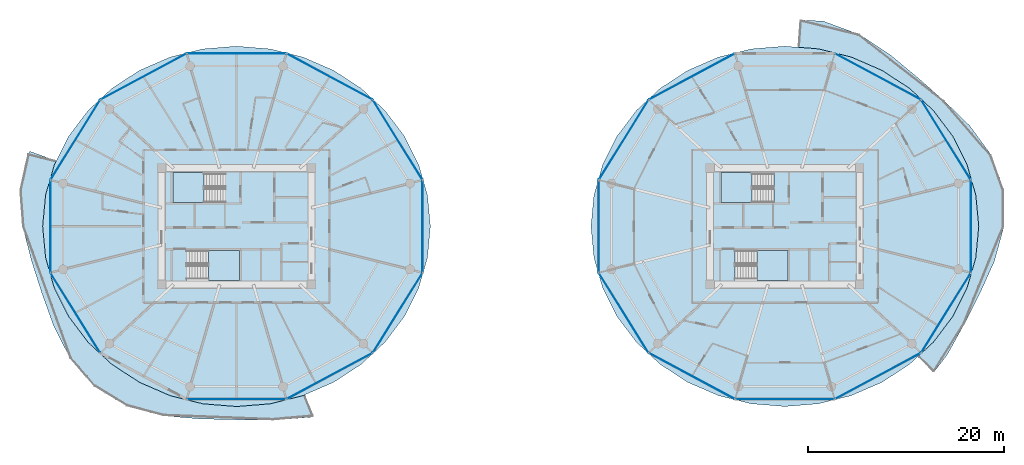
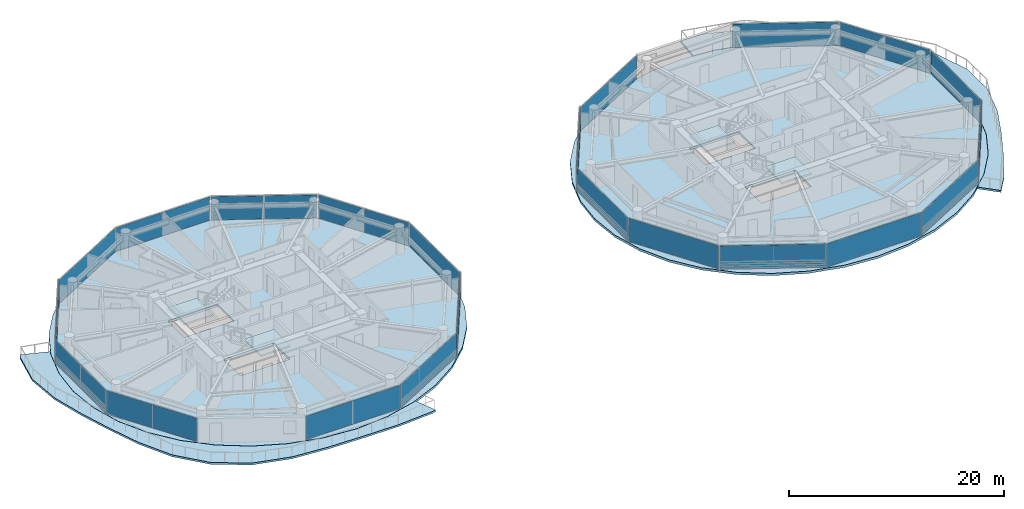
# One storey, part 15 of 28: 22 plates, 8 slabs, 26 elements without a shape of their own.
"""IFC4 building model written with IfcOpenShell, lengths in metres."""

from ifc_helpers import new_model, si_unit, direction, frame, origin, origin_2d, place, context, subcontext, project, spatial, polyline, rectangle, outline, extrude, source, transform, mapped, material, layer, layer_set, type_object, type_shapes, element, aggregate, save


model = new_model("IFC4")

# Units and contexts
model_context = context("Model", 3, precision=1e-05, world=origin(), true_north=direction((0.0, 1.0)))
body_context = subcontext(model_context, "Body", "Model", "MODEL_VIEW")
ifc_project = project(units=[si_unit("LENGTHUNIT", "METRE"), si_unit("AREAUNIT", "SQUARE_METRE"), si_unit("VOLUMEUNIT", "CUBIC_METRE"), si_unit("PLANEANGLEUNIT", "RADIAN"), si_unit("MASSUNIT", "GRAM", prefix="KILO")], contexts=[model_context])

# Site, building, storey
site_placement = place(None, origin())
site = spatial("IfcSite", under=ifc_project, at=site_placement, CompositionType="ELEMENT")
building_placement = place(site_placement, origin())
building = spatial("IfcBuilding", under=site, at=building_placement, Name="Norrkilde Senior Care Towers", CompositionType="ELEMENT")
storey_placement = place(building_placement, frame((0.0, 0.0, 39.89990234375)))
storey = spatial("IfcBuildingStorey", under=building, at=storey_placement, Name="L11", CompositionType="ELEMENT", Elevation=39.89990234375)

# Slabs
ifc_material_1 = material(Name="Concrete C50/60", Category="concrete")
ifc_layer_1 = layer(ifc_material_1, 0.215087890625)
ifc_layer_set_1 = layer_set([ifc_layer_1], Name="Concrete C50/60")
slab_type_1 = type_object("IfcSlabType", Name="Sinusoidal Balcony Ribbon Slab 215", PredefinedType="FLOOR", material=ifc_layer_set_1)
slab_1_placement = place(storey_placement, frame((0.0, 0.0, -0.21484375)))
element("IfcSlab", 1, at=slab_1_placement, inside=storey, type_object=slab_type_1, Name="L11 Drum W Swirling Senior Balcony 1", PredefinedType="FLOOR", context=body_context, shape_type="SweptSolid", body=[
    extrude(outline(polyline([(-24.288330078125, -19.789794921875), (-28.0, -19.754150390625), (-31.691650390625, -19.667236328125), (-35.47021484375, -19.3544921875), (-39.201171875, -18.35986328125), (-42.496337890625, -16.364013671875), (-44.9970703125, -13.47900390625), (-46.6845703125, -10.155029296875), (-47.890869140625, -6.79638671875), (-48.955810546875, -3.471435546875), (-49.843994140625, 0.0), (-50.115966796875, 3.691650390625), (-49.304443359375, 7.35009765625), (-49.112060546875, 7.664306640625), (-46.414794921875, 6.685302734375), (-46.610595703125, 6.294921875), (-47.504150390625, 3.196044921875), (-47.804931640625, 0.0), (-47.504150390625, -3.196044921875), (-46.610595703125, -6.294921875), (-45.151611328125, -9.202392578125), (-43.171630859375, -11.83056640625), (-40.73046875, -14.09912109375), (-37.902587890625, -15.939208984375), (-34.773681640625, -17.294921875), (-31.439208984375, -18.12548828125), (-28.0, -18.405029296875), (-24.560791015625, -18.12548828125), (-21.226318359375, -17.294921875), (-21.016845703125, -17.204345703125), (-20.12451171875, -19.4033203125), (-20.478759765625, -19.505615234375), (-24.288330078125, -19.789794921875)])), origin(), (0.0, 0.0, 1.0), 0.21484375),
])
slab_2_placement = place(storey_placement, frame((0.0, 0.0, -0.21484375)))
element("IfcSlab", 2, at=slab_2_placement, inside=storey, type_object=slab_type_1, Name="L11 Drum E Swirling Senior Balcony 1", PredefinedType="FLOOR", context=body_context, shape_type="SweptSolid", body=[
    extrude(outline(polyline([(46.350830078125, -9.94775390625), (44.58642578125, -13.108154296875), (43.21923828125, -14.90478515625), (41.585205078125, -13.3046875), (43.171630859375, -11.83056640625), (45.151611328125, -9.202392578125), (46.610595703125, -6.294921875), (47.504150390625, -3.196044921875), (47.804931640625, 0.0), (47.504150390625, 3.196044921875), (46.610595703125, 6.294921875), (45.151611328125, 9.202392578125), (43.171630859375, 11.83056640625), (40.73046875, 14.09912109375), (37.902587890625, 15.939208984375), (34.773681640625, 17.294921875), (31.439208984375, 18.12548828125), (29.352783203125, 18.294921875), (29.558349609375, 21.0751953125), (31.903564453125, 20.95947265625), (35.561767578125, 19.625244140625), (38.755615234375, 17.529541015625), (41.57568359375, 15.18359375), (44.26806640625, 12.82080078125), (46.883544921875, 10.278564453125), (49.0859375, 7.264404296875), (50.346435546875, 3.7353515625), (50.380615234375, 0.0), (49.40283203125, -3.556396484375), (47.93603515625, -6.814208984375), (46.350830078125, -9.94775390625)])), origin(), (0.0, 0.0, 1.0), 0.21484375),
])

# Stair, slab
ifc_material_2 = material(Name="Concrete C45/55", Category="concrete")
stair_type = type_object("IfcStairType", Name="Core Protected Dogleg Stair Typical 3050", PredefinedType="HALF_TURN_STAIR", material=ifc_material_2)
stair_1_placement = place(storey_placement, origin())
stair_1 = element("IfcStair", 3, at=stair_1_placement, inside=storey, type_object=stair_type, Name="L11 Protected Core Stair W1", PredefinedType="HALF_TURN_STAIR")
ifc_layer_2 = layer(ifc_material_2, 0.199951171875)
ifc_layer_set_2 = layer_set([ifc_layer_2], Name="Concrete C45/55")
slab_type_2 = type_object("IfcSlabType", Name="Stair Landing Slab 200", PredefinedType="LANDING", material=ifc_layer_set_2)
slab_3_placement = place(storey_placement, frame((0.0, 0.0, 1.3251953125)))
slab_3 = element("IfcSlab", 4, at=slab_3_placement, type_object=slab_type_2, Name="ST-W1 landing 1", PredefinedType="LANDING", context=body_context, shape_type="SweptSolid", body=[
    extrude(outline(polyline([(-31.340087890625, 5.52490234375), (-34.5, 5.52490234375), (-34.5, 2.449951171875), (-31.340087890625, 2.449951171875), (-31.340087890625, 5.52490234375)])), origin(), (0.0, 0.0, 1.0), 0.199951171875),
])
aggregate(stair_1, [slab_3])

stair_2_placement = place(storey_placement, origin())
stair_2 = element("IfcStair", 5, at=stair_2_placement, inside=storey, type_object=stair_type, Name="L11 Protected Core Stair W2", PredefinedType="HALF_TURN_STAIR")
slab_4_placement = place(storey_placement, frame((0.0, 0.0, 1.3251953125)))
slab_4 = element("IfcSlab", 6, at=slab_4_placement, type_object=slab_type_2, Name="ST-W2 landing 1", PredefinedType="LANDING", context=body_context, shape_type="SweptSolid", body=[
    extrude(outline(polyline([(-30.860107421875, -5.52490234375), (-27.699951171875, -5.52490234375), (-27.699951171875, -2.449951171875), (-30.860107421875, -2.449951171875), (-30.860107421875, -5.52490234375)])), origin(), (0.0, 0.0, 1.0), 0.199951171875),
])
aggregate(stair_2, [slab_4])

stair_3_placement = place(storey_placement, origin())
stair_3 = element("IfcStair", 7, at=stair_3_placement, inside=storey, type_object=stair_type, Name="L11 Protected Core Stair E1", PredefinedType="HALF_TURN_STAIR")
slab_5_placement = place(storey_placement, frame((0.0, 0.0, 1.3251953125)))
slab_5 = element("IfcSlab", 8, at=slab_5_placement, type_object=slab_type_2, Name="ST-E1 landing 1", PredefinedType="LANDING", context=body_context, shape_type="SweptSolid", body=[
    extrude(outline(polyline([(24.659912109375, 5.52490234375), (21.5, 5.52490234375), (21.5, 2.449951171875), (24.659912109375, 2.449951171875), (24.659912109375, 5.52490234375)])), origin(), (0.0, 0.0, 1.0), 0.199951171875),
])
aggregate(stair_3, [slab_5])

stair_4_placement = place(storey_placement, origin())
stair_4 = element("IfcStair", 9, at=stair_4_placement, inside=storey, type_object=stair_type, Name="L11 Protected Core Stair E2", PredefinedType="HALF_TURN_STAIR")
slab_6_placement = place(storey_placement, frame((0.0, 0.0, 1.3251953125)))
slab_6 = element("IfcSlab", 10, at=slab_6_placement, type_object=slab_type_2, Name="ST-E2 landing 1", PredefinedType="LANDING", context=body_context, shape_type="SweptSolid", body=[
    extrude(outline(polyline([(25.139892578125, -5.52490234375), (28.300048828125, -5.52490234375), (28.300048828125, -2.449951171875), (25.139892578125, -2.449951171875), (25.139892578125, -5.52490234375)])), origin(), (0.0, 0.0, 1.0), 0.199951171875),
])
aggregate(stair_4, [slab_6])

# Slabs
ifc_layer_3 = layer(ifc_material_1, 0.260009765625)
ifc_layer_set_3 = layer_set([ifc_layer_3], Name="Concrete C50/60")
slab_type_3 = type_object("IfcSlabType", Name="Tower Care Floor Slab 260", PredefinedType="FLOOR", material=ifc_layer_set_3)
slab_7_placement = place(storey_placement, frame((0.0, 0.0, -0.260009765625)))
element("IfcSlab", 11, at=slab_7_placement, inside=storey, type_object=slab_type_3, Name="L11 Drum W Structural Floor Slab", PredefinedType="FLOOR", context=body_context, shape_type="SweptSolid", body=[
    extrude(outline(polyline([(-9.39404296875, -6.293212890625), (-10.852783203125, -9.199951171875), (-12.832275390625, -11.827392578125), (-15.272705078125, -14.09521484375), (-18.10009765625, -15.934814453125), (-21.22802734375, -17.290283203125), (-24.561767578125, -18.120361328125), (-28.0, -18.39990234375), (-31.438232421875, -18.120361328125), (-34.77197265625, -17.290283203125), (-37.89990234375, -15.934814453125), (-40.727294921875, -14.09521484375), (-43.167724609375, -11.827392578125), (-45.147216796875, -9.199951171875), (-46.60595703125, -6.293212890625), (-47.499267578125, -3.195068359375), (-47.800048828125, 0.0), (-47.499267578125, 3.195068359375), (-46.60595703125, 6.293212890625), (-45.147216796875, 9.199951171875), (-43.167724609375, 11.827392578125), (-40.727294921875, 14.09521484375), (-37.89990234375, 15.934814453125), (-34.77197265625, 17.290283203125), (-31.438232421875, 18.120361328125), (-28.0, 18.39990234375), (-24.561767578125, 18.120361328125), (-21.22802734375, 17.290283203125), (-18.10009765625, 15.934814453125), (-15.272705078125, 14.09521484375), (-12.832275390625, 11.827392578125), (-10.852783203125, 9.199951171875), (-9.39404296875, 6.293212890625), (-8.500732421875, 3.195068359375), (-8.199951171875, 0.0), (-8.500732421875, -3.195068359375), (-9.39404296875, -6.293212890625)]), holes=[polyline([(-34.48193359375, 2.468017578125), (-29.117919921875, 2.468017578125), (-29.117919921875, 5.52490234375), (-34.48193359375, 5.52490234375), (-34.48193359375, 2.468017578125)]), polyline([(-27.718017578125, -5.52490234375), (-27.718017578125, -2.468017578125), (-33.08203125, -2.468017578125), (-33.08203125, -5.52490234375), (-27.718017578125, -5.52490234375)])]), origin(), (0.0, 0.0, 1.0), 0.260009765625),
])
slab_8_placement = place(storey_placement, frame((0.0, 0.0, -0.260009765625)))
element("IfcSlab", 12, at=slab_8_placement, inside=storey, type_object=slab_type_3, Name="L11 Drum E Structural Floor Slab", PredefinedType="FLOOR", context=body_context, shape_type="SweptSolid", body=[
    extrude(outline(polyline([(46.60595703125, -6.293212890625), (45.147216796875, -9.199951171875), (43.167724609375, -11.827392578125), (40.727294921875, -14.09521484375), (37.89990234375, -15.934814453125), (34.77197265625, -17.290283203125), (31.438232421875, -18.120361328125), (28.0, -18.39990234375), (24.561767578125, -18.120361328125), (21.22802734375, -17.290283203125), (18.10009765625, -15.934814453125), (15.272705078125, -14.09521484375), (12.832275390625, -11.827392578125), (10.852783203125, -9.199951171875), (9.39404296875, -6.293212890625), (8.500732421875, -3.195068359375), (8.199951171875, 0.0), (8.500732421875, 3.195068359375), (9.39404296875, 6.293212890625), (10.852783203125, 9.199951171875), (12.832275390625, 11.827392578125), (15.272705078125, 14.09521484375), (18.10009765625, 15.934814453125), (21.22802734375, 17.290283203125), (24.561767578125, 18.120361328125), (28.0, 18.39990234375), (31.438232421875, 18.120361328125), (34.77197265625, 17.290283203125), (37.89990234375, 15.934814453125), (40.727294921875, 14.09521484375), (43.167724609375, 11.827392578125), (45.147216796875, 9.199951171875), (46.60595703125, 6.293212890625), (47.499267578125, 3.195068359375), (47.800048828125, 0.0), (47.499267578125, -3.195068359375), (46.60595703125, -6.293212890625)]), holes=[polyline([(21.51806640625, 2.468017578125), (26.882080078125, 2.468017578125), (26.882080078125, 5.52490234375), (21.51806640625, 5.52490234375), (21.51806640625, 2.468017578125)]), polyline([(28.281982421875, -5.52490234375), (28.281982421875, -2.468017578125), (22.91796875, -2.468017578125), (22.91796875, -5.52490234375), (28.281982421875, -5.52490234375)])]), origin(), (0.0, 0.0, 1.0), 0.260009765625),
])

# Curtain wall, plate
ifc_material_3 = material(Name="Triple Low-E Insulated Glazing", Category="glass")
ifc_layer_4 = layer(ifc_material_3, 0.199951171875)
ifc_layer_set_4 = layer_set([ifc_layer_4], Name="Triple Low-E Insulated Glazing")
curtain_wall_type = type_object("IfcCurtainWallType", Name="CW2 Zone 1 Memory Care Curtain Wall", PredefinedType="NOTDEFINED", material=ifc_layer_set_4)
curtain_wall_1_placement = place(storey_placement, origin())
curtain_wall_1 = element("IfcCurtainWall", 13, at=curtain_wall_1_placement, inside=storey, type_object=curtain_wall_type, Name="L11 Drum W Curtain Wall 00", PredefinedType="NOTDEFINED")
ifc_layer_5 = layer(ifc_material_3, 0.035888671875)
ifc_layer_set_5 = layer_set([ifc_layer_5], Name="Triple Low-E Insulated Glazing")
plate_type = type_object("IfcPlateType", Name="Triple Low-E Vision Curtain Panel 36", PredefinedType="CURTAIN_PANEL", material=ifc_layer_set_5)
shared_shape_1 = source(origin(), body_context, "Body", "SweptSolid", [
    extrude(rectangle(XDim=9.518798828125, YDim=0.035888671875, at=origin_2d()), origin(), (0.0, 0.0, 1.0), 2.669921875),
])
plate_1_placement = place(storey_placement, frame((-11.537353515625, 8.82861328125, 0.06005859375), z_axis=(0.0, 0.0, 1.0), x_axis=(0.527900951871, -0.849305943117, 0.0)))
plate_1 = element("IfcPlate", 14, at=plate_1_placement, type_object=plate_type, Name="CW-2 panel 1.1", PredefinedType="CURTAIN_PANEL", context=body_context, shape_type="MappedRepresentation", body=[
    mapped(shared_shape_1, transform((0.0, 0.0, 0.0), x_axis=(1.0, 0.0, 0.0), y_axis=(0.0, 1.0, 0.0), z_axis=(0.0, 0.0, 1.0), scale=1.0)),
])
aggregate(curtain_wall_1, [plate_1])

curtain_wall_2_placement = place(storey_placement, origin())
curtain_wall_2 = element("IfcCurtainWall", 15, at=curtain_wall_2_placement, inside=storey, type_object=curtain_wall_type, Name="L11 Drum W Curtain Wall 04", PredefinedType="NOTDEFINED")
plate_2_placement = place(storey_placement, frame((-44.462646484375, 8.82861328125, 0.06005859375), z_axis=(0.0, 0.0, 1.0), x_axis=(0.527900951871, 0.849305943117, 0.0)))
plate_2 = element("IfcPlate", 16, at=plate_2_placement, type_object=plate_type, Name="CW-2 panel 1.1", PredefinedType="CURTAIN_PANEL", context=body_context, shape_type="MappedRepresentation", body=[
    mapped(shared_shape_1, transform((0.0, 0.0, 0.0), x_axis=(1.0, 0.0, 0.0), y_axis=(0.0, 1.0, 0.0), z_axis=(0.0, 0.0, 1.0), scale=1.0)),
])
aggregate(curtain_wall_2, [plate_2])

curtain_wall_3_placement = place(storey_placement, origin())
curtain_wall_3 = element("IfcCurtainWall", 17, at=curtain_wall_3_placement, inside=storey, type_object=curtain_wall_type, Name="L11 Drum W Curtain Wall 06", PredefinedType="NOTDEFINED")
plate_3_placement = place(storey_placement, frame((-44.462646484375, -8.82861328125, 0.06005859375), z_axis=(0.0, 0.0, 1.0), x_axis=(-0.527900951871, 0.849305943117, 0.0)))
plate_3 = element("IfcPlate", 18, at=plate_3_placement, type_object=plate_type, Name="CW-2 panel 1.1", PredefinedType="CURTAIN_PANEL", context=body_context, shape_type="MappedRepresentation", body=[
    mapped(shared_shape_1, transform((0.0, 0.0, 0.0), x_axis=(1.0, 0.0, 0.0), y_axis=(0.0, 1.0, 0.0), z_axis=(0.0, 0.0, 1.0), scale=1.0)),
])
aggregate(curtain_wall_3, [plate_3])

curtain_wall_4_placement = place(storey_placement, origin())
curtain_wall_4 = element("IfcCurtainWall", 19, at=curtain_wall_4_placement, inside=storey, type_object=curtain_wall_type, Name="L11 Drum W Curtain Wall 10", PredefinedType="NOTDEFINED")
plate_4_placement = place(storey_placement, frame((-11.537353515625, -8.82861328125, 0.06005859375), z_axis=(0.0, 0.0, 1.0), x_axis=(-0.527900951871, -0.849305943117, 0.0)))
plate_4 = element("IfcPlate", 20, at=plate_4_placement, type_object=plate_type, Name="CW-2 panel 1.1", PredefinedType="CURTAIN_PANEL", context=body_context, shape_type="MappedRepresentation", body=[
    mapped(shared_shape_1, transform((0.0, 0.0, 0.0), x_axis=(1.0, 0.0, 0.0), y_axis=(0.0, 1.0, 0.0), z_axis=(0.0, 0.0, 1.0), scale=1.0)),
])
aggregate(curtain_wall_4, [plate_4])

curtain_wall_5_placement = place(storey_placement, origin())
curtain_wall_5 = element("IfcCurtainWall", 21, at=curtain_wall_5_placement, inside=storey, type_object=curtain_wall_type, Name="L11 Drum E Curtain Wall 00", PredefinedType="NOTDEFINED")
plate_5_placement = place(storey_placement, frame((44.462646484375, 8.82861328125, 0.06005859375), z_axis=(0.0, 0.0, 1.0), x_axis=(0.527900951871, -0.849305943117, 0.0)))
plate_5 = element("IfcPlate", 22, at=plate_5_placement, type_object=plate_type, Name="CW-2 panel 1.1", PredefinedType="CURTAIN_PANEL", context=body_context, shape_type="MappedRepresentation", body=[
    mapped(shared_shape_1, transform((0.0, 0.0, 0.0), x_axis=(1.0, 0.0, 0.0), y_axis=(0.0, 1.0, 0.0), z_axis=(0.0, 0.0, 1.0), scale=1.0)),
])
aggregate(curtain_wall_5, [plate_5])

curtain_wall_6_placement = place(storey_placement, origin())
curtain_wall_6 = element("IfcCurtainWall", 23, at=curtain_wall_6_placement, inside=storey, type_object=curtain_wall_type, Name="L11 Drum E Curtain Wall 04", PredefinedType="NOTDEFINED")
plate_6_placement = place(storey_placement, frame((11.537353515625, 8.82861328125, 0.06005859375), z_axis=(0.0, 0.0, 1.0), x_axis=(0.527900951871, 0.849305943117, 0.0)))
plate_6 = element("IfcPlate", 24, at=plate_6_placement, type_object=plate_type, Name="CW-2 panel 1.1", PredefinedType="CURTAIN_PANEL", context=body_context, shape_type="MappedRepresentation", body=[
    mapped(shared_shape_1, transform((0.0, 0.0, 0.0), x_axis=(1.0, 0.0, 0.0), y_axis=(0.0, 1.0, 0.0), z_axis=(0.0, 0.0, 1.0), scale=1.0)),
])
aggregate(curtain_wall_6, [plate_6])

curtain_wall_7_placement = place(storey_placement, origin())
curtain_wall_7 = element("IfcCurtainWall", 25, at=curtain_wall_7_placement, inside=storey, type_object=curtain_wall_type, Name="L11 Drum E Curtain Wall 06", PredefinedType="NOTDEFINED")
plate_7_placement = place(storey_placement, frame((11.537353515625, -8.82861328125, 0.06005859375), z_axis=(0.0, 0.0, 1.0), x_axis=(-0.527900951871, 0.849305943117, 0.0)))
plate_7 = element("IfcPlate", 26, at=plate_7_placement, type_object=plate_type, Name="CW-2 panel 1.1", PredefinedType="CURTAIN_PANEL", context=body_context, shape_type="MappedRepresentation", body=[
    mapped(shared_shape_1, transform((0.0, 0.0, 0.0), x_axis=(1.0, 0.0, 0.0), y_axis=(0.0, 1.0, 0.0), z_axis=(0.0, 0.0, 1.0), scale=1.0)),
])
aggregate(curtain_wall_7, [plate_7])

curtain_wall_8_placement = place(storey_placement, origin())
curtain_wall_8 = element("IfcCurtainWall", 27, at=curtain_wall_8_placement, inside=storey, type_object=curtain_wall_type, Name="L11 Drum E Curtain Wall 10", PredefinedType="NOTDEFINED")
plate_8_placement = place(storey_placement, frame((44.462646484375, -8.82861328125, 0.06005859375), z_axis=(0.0, 0.0, 1.0), x_axis=(-0.527900951871, -0.849305943117, 0.0)))
plate_8 = element("IfcPlate", 28, at=plate_8_placement, type_object=plate_type, Name="CW-2 panel 1.1", PredefinedType="CURTAIN_PANEL", context=body_context, shape_type="MappedRepresentation", body=[
    mapped(shared_shape_1, transform((0.0, 0.0, 0.0), x_axis=(1.0, 0.0, 0.0), y_axis=(0.0, 1.0, 0.0), z_axis=(0.0, 0.0, 1.0), scale=1.0)),
])
aggregate(curtain_wall_8, [plate_8])

curtain_wall_9_placement = place(storey_placement, origin())
curtain_wall_9 = element("IfcCurtainWall", 29, at=curtain_wall_9_placement, inside=storey, type_object=curtain_wall_type, Name="L11 Drum W Curtain Wall 01", PredefinedType="NOTDEFINED")
shared_shape_2 = source(origin(), body_context, "Body", "SweptSolid", [
    extrude(rectangle(XDim=9.880859375, YDim=0.035888671875, at=origin_2d()), origin(), (0.0, 0.0, 1.0), 2.669921875),
])
plate_9_placement = place(storey_placement, frame((-18.495361328125, 15.29150390625, 0.06005859375), z_axis=(0.0, 0.0, 1.0), x_axis=(0.881272866403, -0.472607802456, 0.0)))
plate_9 = element("IfcPlate", 30, at=plate_9_placement, type_object=plate_type, Name="CW-2 panel 1.1", PredefinedType="CURTAIN_PANEL", context=body_context, shape_type="MappedRepresentation", body=[
    mapped(shared_shape_2, transform((0.0, 0.0, 0.0), x_axis=(1.0, 0.0, 0.0), y_axis=(0.0, 1.0, 0.0), z_axis=(0.0, 0.0, 1.0), scale=1.0)),
])
aggregate(curtain_wall_9, [plate_9])

curtain_wall_10_placement = place(storey_placement, origin())
curtain_wall_10 = element("IfcCurtainWall", 31, at=curtain_wall_10_placement, inside=storey, type_object=curtain_wall_type, Name="L11 Drum W Curtain Wall 03", PredefinedType="NOTDEFINED")
plate_10_placement = place(storey_placement, frame((-37.504638671875, 15.29150390625, 0.06005859375), z_axis=(0.0, 0.0, 1.0), x_axis=(0.881272866403, 0.472607802456, 0.0)))
plate_10 = element("IfcPlate", 32, at=plate_10_placement, type_object=plate_type, Name="CW-2 panel 1.1", PredefinedType="CURTAIN_PANEL", context=body_context, shape_type="MappedRepresentation", body=[
    mapped(shared_shape_2, transform((0.0, 0.0, 0.0), x_axis=(1.0, 0.0, 0.0), y_axis=(0.0, 1.0, 0.0), z_axis=(0.0, 0.0, 1.0), scale=1.0)),
])
aggregate(curtain_wall_10, [plate_10])

curtain_wall_11_placement = place(storey_placement, origin())
curtain_wall_11 = element("IfcCurtainWall", 33, at=curtain_wall_11_placement, inside=storey, type_object=curtain_wall_type, Name="L11 Drum W Curtain Wall 09", PredefinedType="NOTDEFINED")
plate_11_placement = place(storey_placement, frame((-18.495361328125, -15.29150390625, 0.06005859375), z_axis=(0.0, 0.0, 1.0), x_axis=(-0.881272866403, -0.472607802456, 0.0)))
plate_11 = element("IfcPlate", 34, at=plate_11_placement, type_object=plate_type, Name="CW-2 panel 1.1", PredefinedType="CURTAIN_PANEL", context=body_context, shape_type="MappedRepresentation", body=[
    mapped(shared_shape_2, transform((0.0, 0.0, 0.0), x_axis=(1.0, 0.0, 0.0), y_axis=(0.0, 1.0, 0.0), z_axis=(0.0, 0.0, 1.0), scale=1.0)),
])
aggregate(curtain_wall_11, [plate_11])

curtain_wall_12_placement = place(storey_placement, origin())
curtain_wall_12 = element("IfcCurtainWall", 35, at=curtain_wall_12_placement, inside=storey, type_object=curtain_wall_type, Name="L11 Drum E Curtain Wall 01", PredefinedType="NOTDEFINED")
plate_12_placement = place(storey_placement, frame((37.504638671875, 15.29150390625, 0.06005859375), z_axis=(0.0, 0.0, 1.0), x_axis=(0.881272866403, -0.472607802456, 0.0)))
plate_12 = element("IfcPlate", 36, at=plate_12_placement, type_object=plate_type, Name="CW-2 panel 1.1", PredefinedType="CURTAIN_PANEL", context=body_context, shape_type="MappedRepresentation", body=[
    mapped(shared_shape_2, transform((0.0, 0.0, 0.0), x_axis=(1.0, 0.0, 0.0), y_axis=(0.0, 1.0, 0.0), z_axis=(0.0, 0.0, 1.0), scale=1.0)),
])
aggregate(curtain_wall_12, [plate_12])

curtain_wall_13_placement = place(storey_placement, origin())
curtain_wall_13 = element("IfcCurtainWall", 37, at=curtain_wall_13_placement, inside=storey, type_object=curtain_wall_type, Name="L11 Drum E Curtain Wall 03", PredefinedType="NOTDEFINED")
plate_13_placement = place(storey_placement, frame((18.495361328125, 15.29150390625, 0.06005859375), z_axis=(0.0, 0.0, 1.0), x_axis=(0.881272866403, 0.472607802456, 0.0)))
plate_13 = element("IfcPlate", 38, at=plate_13_placement, type_object=plate_type, Name="CW-2 panel 1.1", PredefinedType="CURTAIN_PANEL", context=body_context, shape_type="MappedRepresentation", body=[
    mapped(shared_shape_2, transform((0.0, 0.0, 0.0), x_axis=(1.0, 0.0, 0.0), y_axis=(0.0, 1.0, 0.0), z_axis=(0.0, 0.0, 1.0), scale=1.0)),
])
aggregate(curtain_wall_13, [plate_13])

curtain_wall_14_placement = place(storey_placement, origin())
curtain_wall_14 = element("IfcCurtainWall", 39, at=curtain_wall_14_placement, inside=storey, type_object=curtain_wall_type, Name="L11 Drum E Curtain Wall 07", PredefinedType="NOTDEFINED")
plate_14_placement = place(storey_placement, frame((18.495361328125, -15.29150390625, 0.06005859375), z_axis=(0.0, 0.0, 1.0), x_axis=(-0.881272866403, 0.472607802456, 0.0)))
plate_14 = element("IfcPlate", 40, at=plate_14_placement, type_object=plate_type, Name="CW-2 panel 1.1", PredefinedType="CURTAIN_PANEL", context=body_context, shape_type="MappedRepresentation", body=[
    mapped(shared_shape_2, transform((0.0, 0.0, 0.0), x_axis=(1.0, 0.0, 0.0), y_axis=(0.0, 1.0, 0.0), z_axis=(0.0, 0.0, 1.0), scale=1.0)),
])
aggregate(curtain_wall_14, [plate_14])

curtain_wall_15_placement = place(storey_placement, origin())
curtain_wall_15 = element("IfcCurtainWall", 41, at=curtain_wall_15_placement, inside=storey, type_object=curtain_wall_type, Name="L11 Drum E Curtain Wall 09", PredefinedType="NOTDEFINED")
plate_15_placement = place(storey_placement, frame((37.504638671875, -15.29150390625, 0.06005859375), z_axis=(0.0, 0.0, 1.0), x_axis=(-0.881272866403, -0.472607802456, 0.0)))
plate_15 = element("IfcPlate", 42, at=plate_15_placement, type_object=plate_type, Name="CW-2 panel 1.1", PredefinedType="CURTAIN_PANEL", context=body_context, shape_type="MappedRepresentation", body=[
    mapped(shared_shape_2, transform((0.0, 0.0, 0.0), x_axis=(1.0, 0.0, 0.0), y_axis=(0.0, 1.0, 0.0), z_axis=(0.0, 0.0, 1.0), scale=1.0)),
])
aggregate(curtain_wall_15, [plate_15])

curtain_wall_16_placement = place(storey_placement, origin())
curtain_wall_16 = element("IfcCurtainWall", 43, at=curtain_wall_16_placement, inside=storey, type_object=curtain_wall_type, Name="L11 Drum W Curtain Wall 05", PredefinedType="NOTDEFINED")
shared_shape_3 = source(origin(), body_context, "Body", "SweptSolid", [
    extrude(rectangle(XDim=9.33251953125, YDim=0.035888671875, at=origin_2d()), origin(), (0.0, 0.0, 1.0), 2.669921875),
])
plate_16_placement = place(storey_placement, frame((-47.009521484375, 0.0, 0.06005859375), z_axis=(0.0, 0.0, 1.0), x_axis=(0.0, 1.0, 0.0)))
plate_16 = element("IfcPlate", 44, at=plate_16_placement, type_object=plate_type, Name="CW-2 panel 1.1", PredefinedType="CURTAIN_PANEL", context=body_context, shape_type="MappedRepresentation", body=[
    mapped(shared_shape_3, transform((0.0, 0.0, 0.0), x_axis=(1.0, 0.0, 0.0), y_axis=(0.0, 1.0, 0.0), z_axis=(0.0, 0.0, 1.0), scale=1.0)),
])
aggregate(curtain_wall_16, [plate_16])

curtain_wall_17_placement = place(storey_placement, origin())
curtain_wall_17 = element("IfcCurtainWall", 45, at=curtain_wall_17_placement, inside=storey, type_object=curtain_wall_type, Name="L11 Drum W Curtain Wall 11", PredefinedType="NOTDEFINED")
plate_17_placement = place(storey_placement, frame((-8.990478515625, 0.0, 0.06005859375), z_axis=(0.0, 0.0, 1.0), x_axis=(0.0, -1.0, 0.0)))
plate_17 = element("IfcPlate", 46, at=plate_17_placement, type_object=plate_type, Name="CW-2 panel 1.1", PredefinedType="CURTAIN_PANEL", context=body_context, shape_type="MappedRepresentation", body=[
    mapped(shared_shape_3, transform((0.0, 0.0, 0.0), x_axis=(1.0, 0.0, 0.0), y_axis=(0.0, 1.0, 0.0), z_axis=(0.0, 0.0, 1.0), scale=1.0)),
])
aggregate(curtain_wall_17, [plate_17])

curtain_wall_18_placement = place(storey_placement, origin())
curtain_wall_18 = element("IfcCurtainWall", 47, at=curtain_wall_18_placement, inside=storey, type_object=curtain_wall_type, Name="L11 Drum E Curtain Wall 05", PredefinedType="NOTDEFINED")
plate_18_placement = place(storey_placement, frame((8.990478515625, 0.0, 0.06005859375), z_axis=(0.0, 0.0, 1.0), x_axis=(0.0, 1.0, 0.0)))
plate_18 = element("IfcPlate", 48, at=plate_18_placement, type_object=plate_type, Name="CW-2 panel 1.1", PredefinedType="CURTAIN_PANEL", context=body_context, shape_type="MappedRepresentation", body=[
    mapped(shared_shape_3, transform((0.0, 0.0, 0.0), x_axis=(1.0, 0.0, 0.0), y_axis=(0.0, 1.0, 0.0), z_axis=(0.0, 0.0, 1.0), scale=1.0)),
])
aggregate(curtain_wall_18, [plate_18])

curtain_wall_19_placement = place(storey_placement, origin())
curtain_wall_19 = element("IfcCurtainWall", 49, at=curtain_wall_19_placement, inside=storey, type_object=curtain_wall_type, Name="L11 Drum E Curtain Wall 11", PredefinedType="NOTDEFINED")
plate_19_placement = place(storey_placement, frame((47.009521484375, 0.0, 0.06005859375), z_axis=(0.0, 0.0, 1.0), x_axis=(0.0, -1.0, 0.0)))
plate_19 = element("IfcPlate", 50, at=plate_19_placement, type_object=plate_type, Name="CW-2 panel 1.1", PredefinedType="CURTAIN_PANEL", context=body_context, shape_type="MappedRepresentation", body=[
    mapped(shared_shape_3, transform((0.0, 0.0, 0.0), x_axis=(1.0, 0.0, 0.0), y_axis=(0.0, 1.0, 0.0), z_axis=(0.0, 0.0, 1.0), scale=1.0)),
])
aggregate(curtain_wall_19, [plate_19])

curtain_wall_20_placement = place(storey_placement, origin())
curtain_wall_20 = element("IfcCurtainWall", 51, at=curtain_wall_20_placement, inside=storey, type_object=curtain_wall_type, Name="L11 Drum W Curtain Wall 02", PredefinedType="NOTDEFINED")
shared_shape_4 = source(origin(), body_context, "Body", "SweptSolid", [
    extrude(rectangle(XDim=10.05712890625, YDim=0.035888671875, at=origin_2d()), origin(), (0.0, 0.0, 1.0), 2.669921875),
])
type_shapes(plate_type, [shared_shape_1, shared_shape_2, shared_shape_3, shared_shape_4])
plate_20_placement = place(storey_placement, frame((-28.0, 17.6572265625, 0.06005859375), z_axis=(0.0, 0.0, 1.0), x_axis=(1.0, 0.0, 0.0)))
plate_20 = element("IfcPlate", 52, at=plate_20_placement, type_object=plate_type, Name="CW-2 panel 1.1", PredefinedType="CURTAIN_PANEL", context=body_context, shape_type="MappedRepresentation", body=[
    mapped(shared_shape_4, transform((0.0, 0.0, 0.0), x_axis=(1.0, 0.0, 0.0), y_axis=(0.0, 1.0, 0.0), z_axis=(0.0, 0.0, 1.0), scale=1.0)),
])
aggregate(curtain_wall_20, [plate_20])

curtain_wall_21_placement = place(storey_placement, origin())
curtain_wall_21 = element("IfcCurtainWall", 53, at=curtain_wall_21_placement, inside=storey, type_object=curtain_wall_type, Name="L11 Drum W Curtain Wall 08", PredefinedType="NOTDEFINED")
plate_21_placement = place(storey_placement, frame((-28.0, -17.6572265625, 0.06005859375), z_axis=(0.0, 0.0, 1.0), x_axis=(-1.0, 0.0, 0.0)))
plate_21 = element("IfcPlate", 54, at=plate_21_placement, type_object=plate_type, Name="CW-2 panel 1.1", PredefinedType="CURTAIN_PANEL", context=body_context, shape_type="MappedRepresentation", body=[
    mapped(shared_shape_4, transform((0.0, 0.0, 0.0), x_axis=(1.0, 0.0, 0.0), y_axis=(0.0, 1.0, 0.0), z_axis=(0.0, 0.0, 1.0), scale=1.0)),
])
aggregate(curtain_wall_21, [plate_21])

curtain_wall_22_placement = place(storey_placement, origin())
curtain_wall_22 = element("IfcCurtainWall", 55, at=curtain_wall_22_placement, inside=storey, type_object=curtain_wall_type, Name="L11 Drum E Curtain Wall 08", PredefinedType="NOTDEFINED")
plate_22_placement = place(storey_placement, frame((28.0, -17.6572265625, 0.06005859375), z_axis=(0.0, 0.0, 1.0), x_axis=(-1.0, 0.0, 0.0)))
plate_22 = element("IfcPlate", 56, at=plate_22_placement, type_object=plate_type, Name="CW-2 panel 1.1", PredefinedType="CURTAIN_PANEL", context=body_context, shape_type="MappedRepresentation", body=[
    mapped(shared_shape_4, transform((0.0, 0.0, 0.0), x_axis=(1.0, 0.0, 0.0), y_axis=(0.0, 1.0, 0.0), z_axis=(0.0, 0.0, 1.0), scale=1.0)),
])
aggregate(curtain_wall_22, [plate_22])

save(model, "model.ifc")
